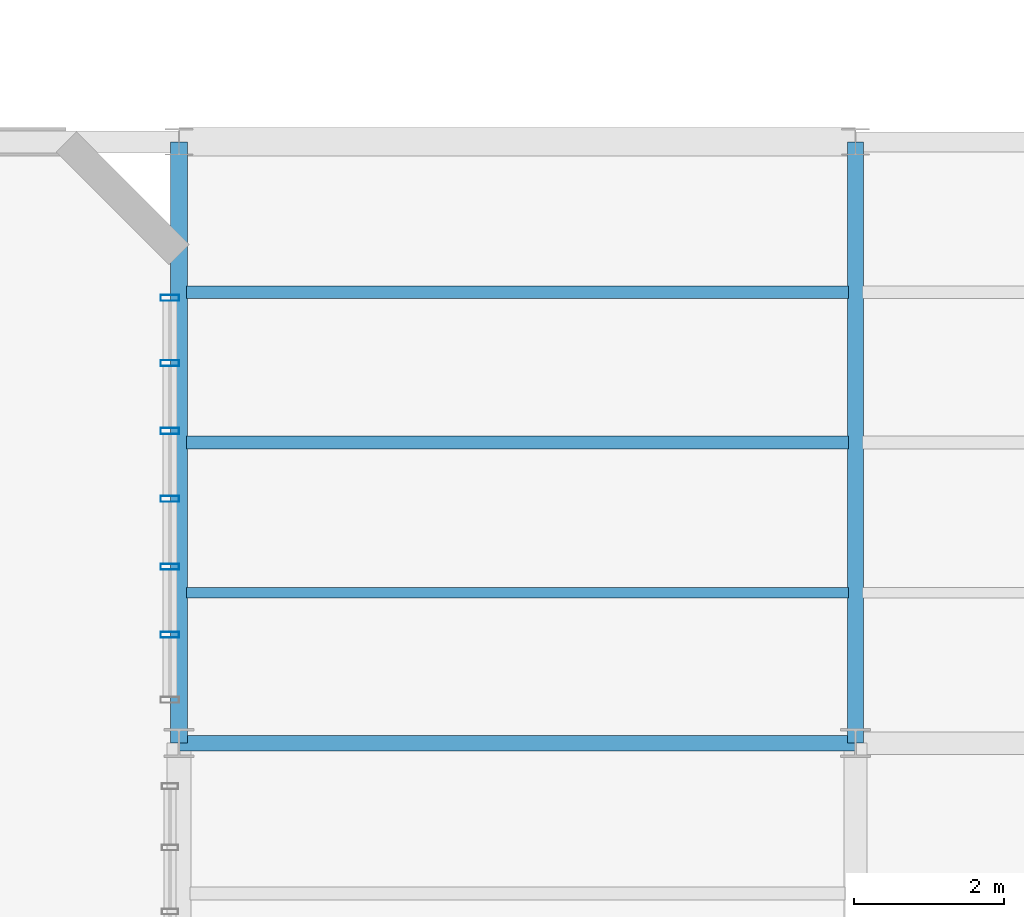
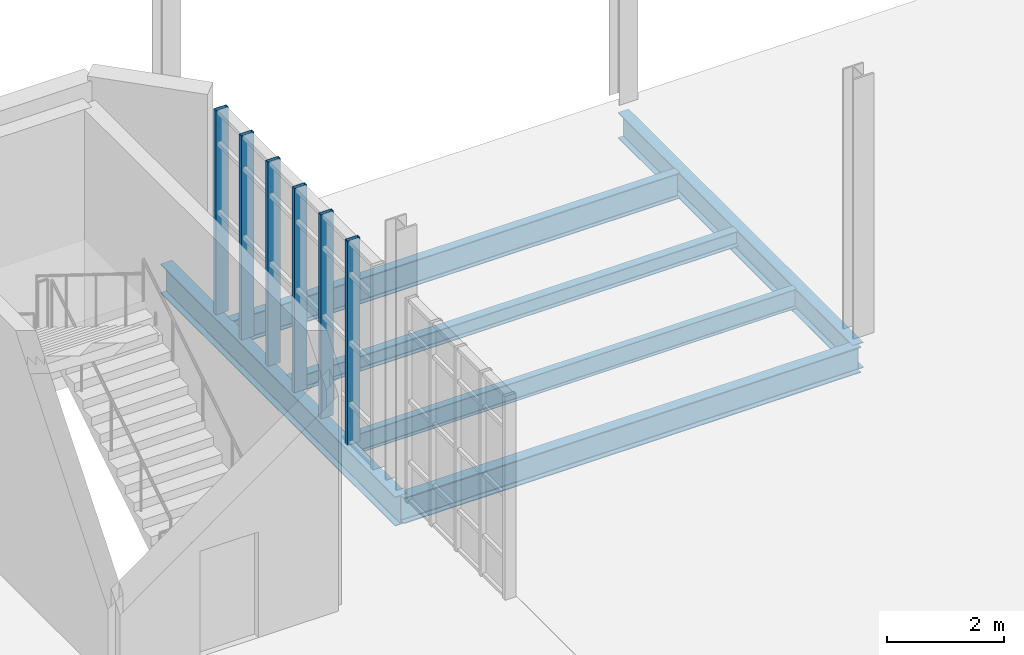
# One storey, part 93 of 189: 6 beams, 6 members, 1 element without a shape of its own.
"""IFC4 building model written with IfcOpenShell, lengths in metres."""

from ifc_helpers import new_model, si_unit, direction, frame, origin, origin_2d, place, context, subcontext, project, spatial, hollow_rectangle, i_section, extrude, material, layer, layer_set, material_profile, profile_set, type_object, element, aggregate, save


model = new_model("IFC4")

# Units and contexts
model_context = context("Model", 3, precision=1e-05, world=origin(), true_north=direction((0.0, 1.0)))
body_context = subcontext(model_context, "Body", "Model", "MODEL_VIEW")
ifc_project = project(units=[si_unit("LENGTHUNIT", "METRE"), si_unit("AREAUNIT", "SQUARE_METRE"), si_unit("VOLUMEUNIT", "CUBIC_METRE"), si_unit("PLANEANGLEUNIT", "RADIAN"), si_unit("MASSUNIT", "GRAM", prefix="KILO"), si_unit("THERMODYNAMICTEMPERATUREUNIT", "KELVIN"), si_unit("POWERUNIT", "WATT")], contexts=[model_context])

# Site, building, storey
site_placement = place(None, origin())
site = spatial("IfcSite", under=ifc_project, at=site_placement, CompositionType="ELEMENT")
building_placement = place(site_placement, origin())
building = spatial("IfcBuilding", under=site, at=building_placement, Name="Zelmaris Science Centre", CompositionType="ELEMENT")
storey_placement = place(building_placement, origin())
storey = spatial("IfcBuildingStorey", under=building, at=storey_placement, Name="L00", CompositionType="ELEMENT", Elevation=0.0)

# Curtain wall, members
ifc_material_1 = material(Name="Anodised architectural aluminium 6063-T6", Category="aluminium")
ifc_layer = layer(ifc_material_1, 0.18994140625, Name="Anodised architectural aluminium 6063-T6")
ifc_layer_set = layer_set([ifc_layer], Name="Anodised architectural aluminium 6063-T6")
curtain_wall_type = type_object("IfcCurtainWallType", Name="Curtain Wall CW-01", PredefinedType="USERDEFINED", material=ifc_layer_set)
curtain_wall_placement = place(storey_placement, origin())
curtain_wall = element("IfcCurtainWall", 1, at=curtain_wall_placement, inside=storey, type_object=curtain_wall_type, Name="L00 Unitised curtain wall 29", ObjectType="GLAZED CURTAIN WALL", PredefinedType="USERDEFINED")
ifc_material_profile_1 = material_profile(ifc_material_1, hollow_rectangle(XDim=0.080078125, YDim=0.25, WallThickness=0.0048828125, at=origin_2d()), Name="ALU-MUL-80X250")
ifc_profile_set_1 = profile_set([ifc_material_profile_1], Name="Anodised architectural aluminium 6063-T6")
member_type = type_object("IfcMemberType", Name="ALU-MUL-80X250", PredefinedType="MULLION", material=ifc_profile_set_1)
member_1_placement = place(storey_placement, frame((71.8798828125, 85.924072265625, -0.014892578125), z_axis=(0.0, 0.0, 1.0), x_axis=(0.0, -1.0, 0.0)))
member_1 = element("IfcMember", 2, at=member_1_placement, type_object=member_type, Name="CW-01 mullion 1", PredefinedType="MULLION", context=body_context, shape_type="SweptSolid", body=[
    extrude(hollow_rectangle(XDim=0.080078125, YDim=0.25, WallThickness=0.0048828125, at=origin_2d()), origin(), (0.0, 0.0, 1.0), 4.248779296875),
])
member_2_placement = place(storey_placement, frame((71.8798828125, 85.056640625, -0.014892578125), z_axis=(0.0, 0.0, 1.0), x_axis=(0.0, -1.0, 0.0)))
member_2 = element("IfcMember", 3, at=member_2_placement, type_object=member_type, Name="CW-01 mullion 2", PredefinedType="MULLION", context=body_context, shape_type="SweptSolid", body=[
    extrude(hollow_rectangle(XDim=0.080078125, YDim=0.25, WallThickness=0.0048828125, at=origin_2d()), origin(), (0.0, 0.0, 1.0), 4.248779296875),
])
member_3_placement = place(storey_placement, frame((71.8798828125, 84.1533203125, -0.014892578125), z_axis=(0.0, 0.0, 1.0), x_axis=(0.0, -1.0, 0.0)))
member_3 = element("IfcMember", 4, at=member_3_placement, type_object=member_type, Name="CW-01 mullion 3", PredefinedType="MULLION", context=body_context, shape_type="SweptSolid", body=[
    extrude(hollow_rectangle(XDim=0.080078125, YDim=0.25, WallThickness=0.0048828125, at=origin_2d()), origin(), (0.0, 0.0, 1.0), 4.248779296875),
])
member_4_placement = place(storey_placement, frame((71.8798828125, 83.25, -0.014892578125), z_axis=(0.0, 0.0, 1.0), x_axis=(0.0, -1.0, 0.0)))
member_4 = element("IfcMember", 5, at=member_4_placement, type_object=member_type, Name="CW-01 mullion 4", PredefinedType="MULLION", context=body_context, shape_type="SweptSolid", body=[
    extrude(hollow_rectangle(XDim=0.080078125, YDim=0.25, WallThickness=0.0048828125, at=origin_2d()), origin(), (0.0, 0.0, 1.0), 4.248779296875),
])
member_5_placement = place(storey_placement, frame((71.8798828125, 82.3466796875, -0.014892578125), z_axis=(0.0, 0.0, 1.0), x_axis=(0.0, -1.0, 0.0)))
member_5 = element("IfcMember", 6, at=member_5_placement, type_object=member_type, Name="CW-01 mullion 5", PredefinedType="MULLION", context=body_context, shape_type="SweptSolid", body=[
    extrude(hollow_rectangle(XDim=0.080078125, YDim=0.25, WallThickness=0.0048828125, at=origin_2d()), origin(), (0.0, 0.0, 1.0), 4.248779296875),
])
member_6_placement = place(storey_placement, frame((71.8798828125, 81.443359375, -0.014892578125), z_axis=(0.0, 0.0, 1.0), x_axis=(0.0, -1.0, 0.0)))
member_6 = element("IfcMember", 7, at=member_6_placement, type_object=member_type, Name="CW-01 mullion 6", PredefinedType="MULLION", context=body_context, shape_type="SweptSolid", body=[
    extrude(hollow_rectangle(XDim=0.080078125, YDim=0.25, WallThickness=0.0048828125, at=origin_2d()), origin(), (0.0, 0.0, 1.0), 4.248779296875),
])
aggregate(curtain_wall, [member_1, member_2, member_3, member_4, member_5, member_6])

# Beams
ifc_material_2 = material(Name="Steel ASTM A992 Grade 50", Category="steel")
ifc_material_profile_2 = material_profile(ifc_material_2, i_section(OverallWidth=0.22900390625, OverallDepth=0.612060546875, WebThickness=0.011962890625, FlangeThickness=0.01953125, FilletRadius=0.014892578125, at=origin_2d()), Name="W24X84")
ifc_profile_set_2 = profile_set([ifc_material_profile_2], Name="Steel ASTM A992 Grade 50")
beam_type_1 = type_object("IfcBeamType", Name="Beam G-16 W24X84", PredefinedType="BEAM", material=ifc_profile_set_2)
beam_1_placement = place(storey_placement, frame((72.0, 80.0, -0.5859375), z_axis=(0.0, 1.0, 0.0), x_axis=(-1.0, 0.0, 0.0)))
element("IfcBeam", 8, at=beam_1_placement, inside=storey, type_object=beam_type_1, Name="L00 North-south girder 40", PredefinedType="BEAM", context=body_context, shape_type="SweptSolid", body=[
    extrude(i_section(OverallWidth=0.22900390625, OverallDepth=0.612060546875, WebThickness=0.011962890625, FlangeThickness=0.01953125, FilletRadius=0.014892578125, at=origin_2d()), origin(), (0.0, 0.0, 1.0), 8.0),
])
ifc_material_profile_3 = material_profile(ifc_material_2, i_section(OverallWidth=0.2109375, OverallDepth=0.5380859375, WebThickness=0.01171875, FlangeThickness=0.018798828125, FilletRadius=0.013916015625, at=origin_2d()), Name="W21X73")
ifc_profile_set_3 = profile_set([ifc_material_profile_3], Name="Steel ASTM A992 Grade 50")
beam_type_2 = type_object("IfcBeamType", Name="Beam G-19 W21X73", PredefinedType="BEAM", material=ifc_profile_set_3)
beam_2_placement = place(storey_placement, frame((81.0, 80.0, -0.549072265625), z_axis=(0.0, 1.0, 0.0), x_axis=(-1.0, 0.0, 0.0)))
element("IfcBeam", 9, at=beam_2_placement, inside=storey, type_object=beam_type_2, Name="L00 North-south girder 43", PredefinedType="BEAM", context=body_context, shape_type="SweptSolid", body=[
    extrude(i_section(OverallWidth=0.2109375, OverallDepth=0.5380859375, WebThickness=0.01171875, FlangeThickness=0.018798828125, FilletRadius=0.013916015625, at=origin_2d()), origin(), (0.0, 0.0, 1.0), 8.0),
])
beam_3_placement = place(storey_placement, frame((72.0, 80.0, -0.549072265625), z_axis=(1.0, 0.0, 0.0), x_axis=(0.0, 1.0, 0.0)))
element("IfcBeam", 10, at=beam_3_placement, inside=storey, type_object=beam_type_2, Name="L00 East-west girder 167", PredefinedType="BEAM", context=body_context, shape_type="SweptSolid", body=[
    extrude(i_section(OverallWidth=0.2109375, OverallDepth=0.5380859375, WebThickness=0.01171875, FlangeThickness=0.018798828125, FilletRadius=0.013916015625, at=origin_2d()), origin(), (0.0, 0.0, 1.0), 9.0),
])
ifc_material_profile_4 = material_profile(ifc_material_2, i_section(OverallWidth=0.16796875, OverallDepth=0.532958984375, WebThickness=0.01025390625, FlangeThickness=0.0166015625, FilletRadius=0.013916015625, at=origin_2d()), Name="W21X57")
ifc_profile_set_4 = profile_set([ifc_material_profile_4], Name="Steel ASTM A992 Grade 50")
beam_type_3 = type_object("IfcBeamType", Name="Beam J-01 W21X57", PredefinedType="JOIST", material=ifc_profile_set_4)
beam_4_placement = place(storey_placement, frame((72.099609375, 86.0, -0.54638671875), z_axis=(1.0, 0.0, 0.0), x_axis=(0.0, 1.0, 0.0)))
element("IfcBeam", 11, at=beam_4_placement, inside=storey, type_object=beam_type_3, Name="L00 Composite floor joist 54", PredefinedType="JOIST", context=body_context, shape_type="SweptSolid", body=[
    extrude(i_section(OverallWidth=0.16796875, OverallDepth=0.532958984375, WebThickness=0.01025390625, FlangeThickness=0.0166015625, FilletRadius=0.013916015625, at=origin_2d()), origin(), (0.0, 0.0, 1.0), 8.809814453125),
])
ifc_material_profile_5 = material_profile(ifc_material_2, i_section(OverallWidth=0.139892578125, OverallDepth=0.404052734375, WebThickness=0.007080078125, FlangeThickness=0.01123046875, FilletRadius=0.011962890625, at=origin_2d()), Name="W16X31")
ifc_profile_set_5 = profile_set([ifc_material_profile_5], Name="Steel ASTM A992 Grade 50")
beam_type_4 = type_object("IfcBeamType", Name="Beam J-08 W16X31", PredefinedType="JOIST", material=ifc_profile_set_5)
beam_5_placement = place(storey_placement, frame((72.099609375, 82.0, -0.48193359375), z_axis=(1.0, 0.0, 0.0), x_axis=(0.0, 1.0, 0.0)))
element("IfcBeam", 12, at=beam_5_placement, inside=storey, type_object=beam_type_4, Name="L00 Composite floor joist 52", PredefinedType="JOIST", context=body_context, shape_type="SweptSolid", body=[
    extrude(i_section(OverallWidth=0.139892578125, OverallDepth=0.404052734375, WebThickness=0.007080078125, FlangeThickness=0.01123046875, FilletRadius=0.011962890625, at=origin_2d()), origin(), (0.0, 0.0, 1.0), 8.809814453125),
])
ifc_material_profile_6 = material_profile(ifc_material_2, i_section(OverallWidth=0.1669921875, OverallDepth=0.318115234375, WebThickness=0.007568359375, FlangeThickness=0.01318359375, FilletRadius=0.011962890625, at=origin_2d()), Name="W12X35")
ifc_profile_set_6 = profile_set([ifc_material_profile_6], Name="Steel ASTM A992 Grade 50")
beam_type_5 = type_object("IfcBeamType", Name="Beam J-09 W12X35", PredefinedType="JOIST", material=ifc_profile_set_6)
beam_6_placement = place(storey_placement, frame((72.099609375, 84.0, -0.43896484375), z_axis=(1.0, 0.0, 0.0), x_axis=(0.0, 1.0, 0.0)))
element("IfcBeam", 13, at=beam_6_placement, inside=storey, type_object=beam_type_5, Name="L00 Composite floor joist 53", PredefinedType="JOIST", context=body_context, shape_type="SweptSolid", body=[
    extrude(i_section(OverallWidth=0.1669921875, OverallDepth=0.318115234375, WebThickness=0.007568359375, FlangeThickness=0.01318359375, FilletRadius=0.011962890625, at=origin_2d()), origin(), (0.0, 0.0, 1.0), 8.809814453125),
])

save(model, "model.ifc")
